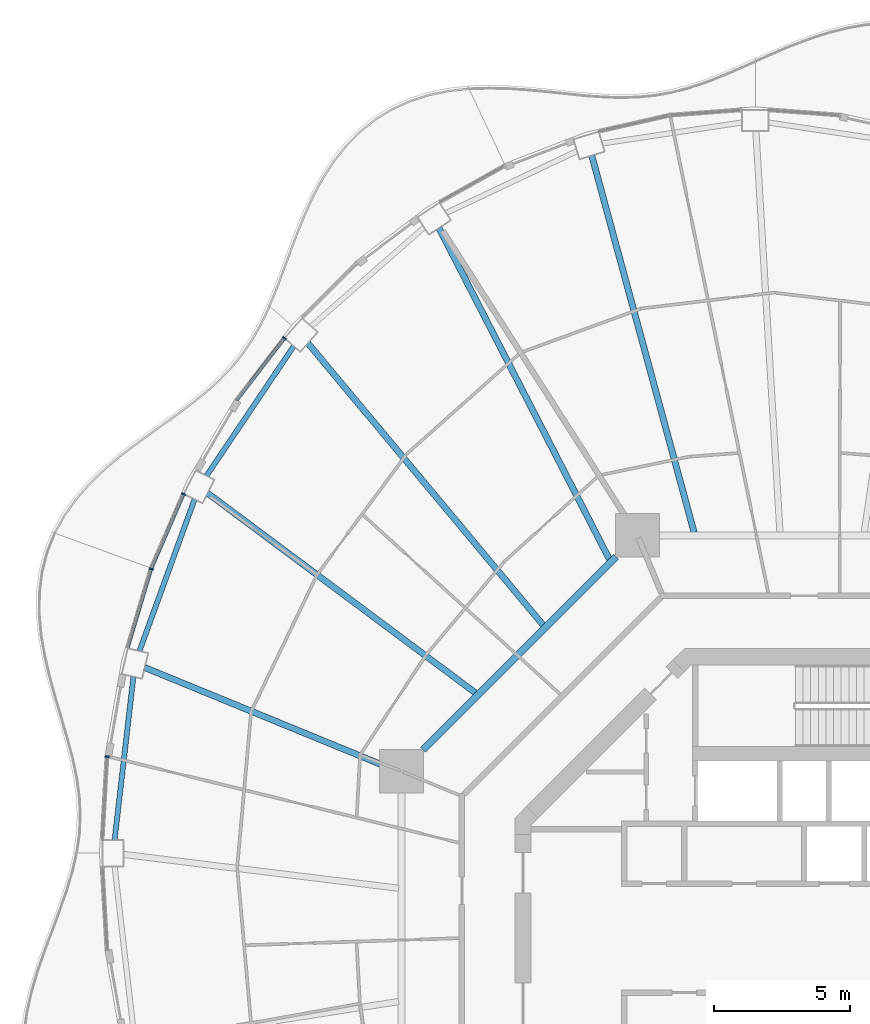
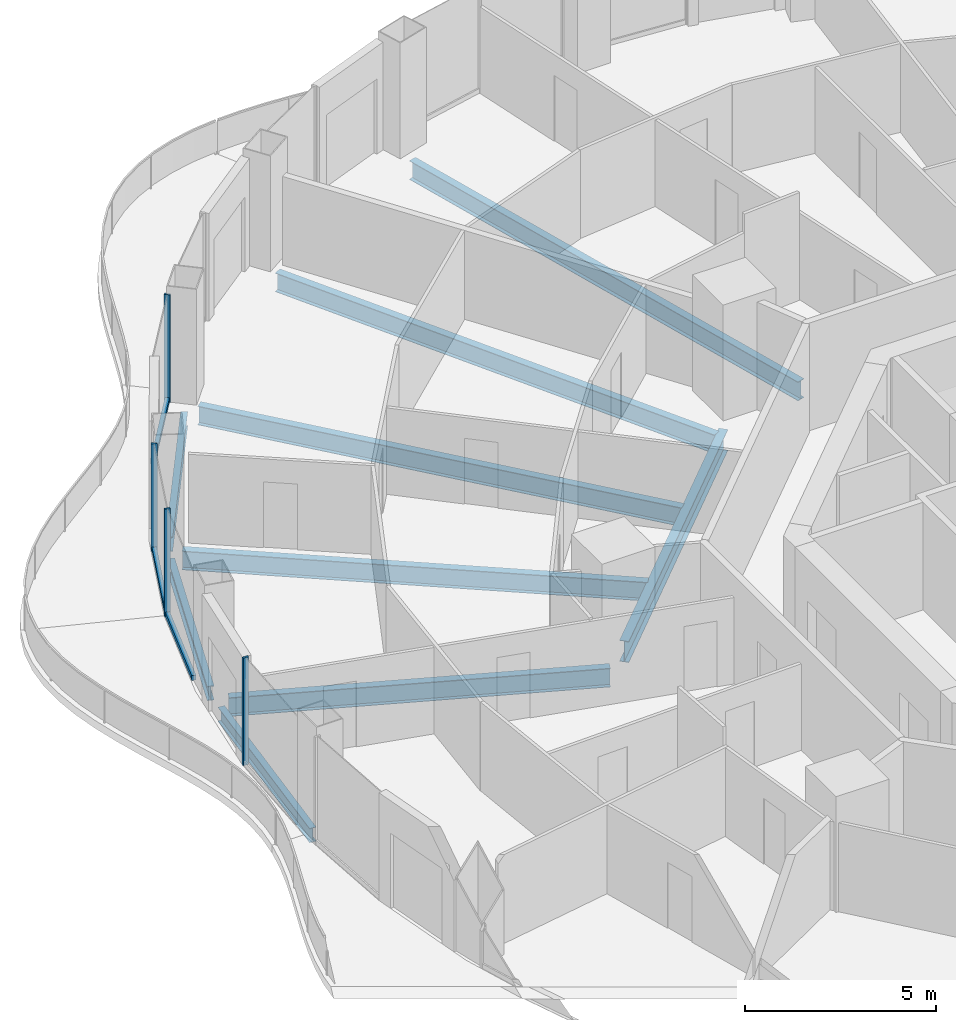
# One storey, part 5 of 18: 9 beams, 7 members, 4 elements without a shape of their own.
"""IFC4 building model written with IfcOpenShell, lengths in metres."""

from ifc_helpers import new_model, si_unit, direction, frame, origin, origin_2d, place, context, subcontext, project, spatial, rectangle, i_section, extrude, material, layer, layer_set, material_profile, profile_set, type_object, element, aggregate, save


model = new_model("IFC4")

# Units and contexts
model_context = context("Model", 3, precision=1e-05, world=origin(), true_north=direction((0.0, 1.0)))
body_context = subcontext(model_context, "Body", "Model", "MODEL_VIEW")
ifc_project = project(units=[si_unit("LENGTHUNIT", "METRE"), si_unit("AREAUNIT", "SQUARE_METRE"), si_unit("VOLUMEUNIT", "CUBIC_METRE"), si_unit("PLANEANGLEUNIT", "RADIAN"), si_unit("MASSUNIT", "GRAM", prefix="KILO")], contexts=[model_context])

# Site, building, storey
site_placement = place(None, origin())
site = spatial("IfcSite", under=ifc_project, at=site_placement, CompositionType="ELEMENT")
building_placement = place(site_placement, origin())
building = spatial("IfcBuilding", under=site, at=building_placement, Name="Nagisa Residences", CompositionType="ELEMENT")
storey_placement = place(building_placement, frame((0.0, 0.0, 241.800048828125)))
storey = spatial("IfcBuildingStorey", under=building, at=storey_placement, Name="L61", CompositionType="ELEMENT", Elevation=241.800048828125)

# Curtain wall, member
ifc_material_1 = material(Name="Concrete-coloured aluminium curtain wall system", Category="concrete")
ifc_layer = layer(ifc_material_1, 0.159912109375)
ifc_layer_set = layer_set([ifc_layer], Name="CW1 CURTAIN WALL")
curtain_wall_type = type_object("IfcCurtainWallType", Name="CW1 CURTAIN WALL", PredefinedType="NOTDEFINED", material=ifc_layer_set)
curtain_wall_1_placement = place(storey_placement, origin())
curtain_wall_1 = element("IfcCurtainWall", 1, at=curtain_wall_1_placement, inside=storey, type_object=curtain_wall_type, Name="cw:CW1:L61:18", PredefinedType="NOTDEFINED")
ifc_material_2 = material(Name="Concrete-coloured aluminium", Category="concrete")
ifc_material_profile_1 = material_profile(ifc_material_2, rectangle(XDim=0.159912109375, YDim=0.06005859375, at=origin_2d()), Name="CW1 MULLION 160x60")
ifc_profile_set_1 = profile_set([ifc_material_profile_1], Name="Concrete-coloured aluminium")
member_type_1 = type_object("IfcMemberType", Name="CW1 MULLION 160x60", PredefinedType="MULLION", material=ifc_profile_set_1)
member_1_placement = place(storey_placement, frame((-19.080322265625, 22.0166015625, 0.0), z_axis=(0.0, 0.0, 1.0), x_axis=(0.792070340816, -0.610429828235, 0.0)))
member_1 = element("IfcMember", 2, at=member_1_placement, type_object=member_type_1, Name="CW1 mullion", PredefinedType="MULLION", context=body_context, shape_type="SweptSolid", body=[
    extrude(rectangle(XDim=0.159912109375, YDim=0.06005859375, at=origin_2d()), origin(), (0.0, 0.0, 1.0), 3.43994140625),
])

curtain_wall_2_placement = place(storey_placement, origin())
curtain_wall_2 = element("IfcCurtainWall", 3, at=curtain_wall_2_placement, inside=storey, type_object=curtain_wall_type, Name="cw:CW1:L61:20", PredefinedType="NOTDEFINED")
member_2_placement = place(storey_placement, frame((-22.782470703125, 16.294677734375, 0.0), z_axis=(0.0, 0.0, 1.0), x_axis=(0.917543276295, -0.397635934147, 0.0)))
member_2 = element("IfcMember", 4, at=member_2_placement, type_object=member_type_1, Name="CW1 mullion", PredefinedType="MULLION", context=body_context, shape_type="SweptSolid", body=[
    extrude(rectangle(XDim=0.159912109375, YDim=0.06005859375, at=origin_2d()), origin(), (0.0, 0.0, 1.0), 3.43994140625),
])

curtain_wall_3_placement = place(storey_placement, origin())
curtain_wall_3 = element("IfcCurtainWall", 5, at=curtain_wall_3_placement, inside=storey, type_object=curtain_wall_type, Name="cw:CW1:L61:21", PredefinedType="NOTDEFINED")
member_3_placement = place(storey_placement, frame((-23.9697265625, 13.5478515625, 0.0), z_axis=(0.0, 0.0, 1.0), x_axis=(0.958271310082, -0.285860274038, 0.0)))
member_3 = element("IfcMember", 6, at=member_3_placement, type_object=member_type_1, Name="CW1 mullion", PredefinedType="MULLION", context=body_context, shape_type="SweptSolid", body=[
    extrude(rectangle(XDim=0.159912109375, YDim=0.06005859375, at=origin_2d()), origin(), (0.0, 0.0, 1.0), 3.43994140625),
])

curtain_wall_4_placement = place(storey_placement, origin())
curtain_wall_4 = element("IfcCurtainWall", 7, at=curtain_wall_4_placement, inside=storey, type_object=curtain_wall_type, Name="cw:CW1:L61:23", PredefinedType="NOTDEFINED")
member_4_placement = place(storey_placement, frame((-25.5859375, 6.658203125, 0.0), z_axis=(0.0, 0.0, 1.0), x_axis=(0.998345305184, -0.057503492216, 0.0)))
member_4 = element("IfcMember", 8, at=member_4_placement, type_object=member_type_1, Name="CW1 mullion", PredefinedType="MULLION", context=body_context, shape_type="SweptSolid", body=[
    extrude(rectangle(XDim=0.159912109375, YDim=0.06005859375, at=origin_2d()), origin(), (0.0, 0.0, 1.0), 3.43994140625),
])
aggregate(curtain_wall_4, [member_4])

# Member
ifc_material_3 = material(Name="Concrete-coloured aluminium", Category="concrete")
ifc_material_profile_2 = material_profile(ifc_material_3, rectangle(XDim=0.1201171875, YDim=0.14990234375, at=origin_2d()), Name="CW1 TRANSOM 120x150")
ifc_profile_set_2 = profile_set([ifc_material_profile_2], Name="Concrete-coloured aluminium")
member_type_2 = type_object("IfcMemberType", Name="CW1 TRANSOM 120x150", PredefinedType="USERDEFINED", material=ifc_profile_set_2)
member_5_placement = place(storey_placement, frame((-19.06201171875, 22.04052734375, 0.074951171875), z_axis=(-0.610438565676, -0.792063607001, 0.0), x_axis=(0.792063607001, -0.610438565676, 0.0)))
member_5 = element("IfcMember", 9, at=member_5_placement, type_object=member_type_2, Name="CW1 transom", ObjectType="TRANSOM", PredefinedType="USERDEFINED", context=body_context, shape_type="SweptSolid", body=[
    extrude(rectangle(XDim=0.1201171875, YDim=0.14990234375, at=origin_2d()), origin(), (0.0, 0.0, 1.0), 2.90087890625),
])

aggregate(curtain_wall_1, [member_1, member_5])

member_6_placement = place(storey_placement, frame((-22.770751953125, 16.322021484375, 0.074951171875), z_axis=(-0.397616567135, -0.917551669139, 0.0), x_axis=(0.917551669139, -0.397616567135, 0.0)))
member_6 = element("IfcMember", 10, at=member_6_placement, type_object=member_type_2, Name="CW1 transom", ObjectType="TRANSOM", PredefinedType="USERDEFINED", context=body_context, shape_type="SweptSolid", body=[
    extrude(rectangle(XDim=0.1201171875, YDim=0.14990234375, at=origin_2d()), origin(), (0.0, 0.0, 1.0), 3.001953125),
])

aggregate(curtain_wall_2, [member_2, member_6])

member_7_placement = place(storey_placement, frame((-23.961181640625, 13.576416015625, 0.074951171875), z_axis=(-0.285881452443, -0.958264992134, 0.0), x_axis=(0.958264992134, -0.285881452443, 0.0)))
member_7 = element("IfcMember", 11, at=member_7_placement, type_object=member_type_2, Name="CW1 transom", ObjectType="TRANSOM", PredefinedType="USERDEFINED", context=body_context, shape_type="SweptSolid", body=[
    extrude(rectangle(XDim=0.1201171875, YDim=0.14990234375, at=origin_2d()), origin(), (0.0, 0.0, 1.0), 3.040283203125),
])

aggregate(curtain_wall_3, [member_3, member_7])

# Beams
ifc_material_4 = material(Name="Steel ASTM A572 Gr 50", Category="steel")
ifc_material_profile_3 = material_profile(ifc_material_4, i_section(OverallWidth=0.2529296875, OverallDepth=0.677978515625, WebThickness=0.01171875, FlangeThickness=0.016357421875, at=origin_2d()), Name="W690x125")
ifc_profile_set_3 = profile_set([ifc_material_profile_3], Name="Steel ASTM A572 Gr 50")
beam_type_1 = type_object("IfcBeamType", Name="Inner ring beam W690x125", PredefinedType="BEAM", material=ifc_profile_set_3)
beam_1_placement = place(storey_placement, frame((-6.90869140625, 13.99609375, -0.59912109375), z_axis=(-0.707106781187, -0.707106781187, 0.0), x_axis=(0.707106781187, -0.707106781187, 0.0)))
element("IfcBeam", 12, at=beam_1_placement, inside=storey, type_object=beam_type_1, Name="beam:L61:ib3", PredefinedType="BEAM", context=body_context, shape_type="SweptSolid", body=[
    extrude(i_section(OverallWidth=0.2529296875, OverallDepth=0.677978515625, WebThickness=0.01171875, FlangeThickness=0.016357421875, at=origin_2d()), origin(), (0.0, 0.0, 1.0), 10.023193359375),
])
ifc_material_5 = material(Name="Steel ASTM A572 Gr 50", Category="steel")
ifc_material_profile_4 = material_profile(ifc_material_5, i_section(OverallWidth=0.18994140625, OverallDepth=0.45703125, WebThickness=0.009033203125, FlangeThickness=0.014404296875, at=origin_2d()), Name="W460x74")
ifc_profile_set_4 = profile_set([ifc_material_profile_4], Name="Steel ASTM A572 Gr 50")
beam_type_2 = type_object("IfcBeamType", Name="Perimeter ring beam W460x74", PredefinedType="BEAM", material=ifc_profile_set_4)
beam_2_placement = place(storey_placement, frame((-18.73681640625, 21.72998046875, -0.488525390625), z_axis=(-0.558079852096, -0.829787249049, 0.0), x_axis=(0.829787249049, -0.558079852096, 0.0)))
element("IfcBeam", 13, at=beam_2_placement, inside=storey, type_object=beam_type_2, Name="beam:L61:pb10", PredefinedType="BEAM", context=body_context, shape_type="SweptSolid", body=[
    extrude(i_section(OverallWidth=0.18994140625, OverallDepth=0.45703125, WebThickness=0.009033203125, FlangeThickness=0.014404296875, at=origin_2d()), origin(), (0.0, 0.0, 1.0), 5.743408203125),
])
beam_3_placement = place(storey_placement, frame((-22.377197265625, 16.108154296875, -0.488525390625), z_axis=(-0.34127712749, -0.939962723863, 0.0), x_axis=(0.939962723863, -0.34127712749, 0.0)))
element("IfcBeam", 14, at=beam_3_placement, inside=storey, type_object=beam_type_2, Name="beam:L61:pb11", PredefinedType="BEAM", context=body_context, shape_type="SweptSolid", body=[
    extrude(i_section(OverallWidth=0.18994140625, OverallDepth=0.45703125, WebThickness=0.009033203125, FlangeThickness=0.014404296875, at=origin_2d()), origin(), (0.0, 0.0, 1.0), 5.9326171875),
])
beam_4_placement = place(storey_placement, frame((-24.622314453125, 9.59716796875, -0.488525390625), z_axis=(-0.114650193512, -0.993405925656, 0.0), x_axis=(0.993405925656, -0.114650193512, 0.0)))
element("IfcBeam", 15, at=beam_4_placement, inside=storey, type_object=beam_type_2, Name="beam:L61:pb12", PredefinedType="BEAM", context=body_context, shape_type="SweptSolid", body=[
    extrude(i_section(OverallWidth=0.18994140625, OverallDepth=0.45703125, WebThickness=0.009033203125, FlangeThickness=0.014404296875, at=origin_2d()), origin(), (0.0, 0.0, 1.0), 6.0390625),
])
ifc_material_6 = material(Name="Steel ASTM A572 Gr 50", Category="steel")
ifc_material_profile_5 = material_profile(ifc_material_6, i_section(OverallWidth=0.22802734375, OverallDepth=0.60302734375, WebThickness=0.010498046875, FlangeThickness=0.014892578125, at=origin_2d()), Name="W610x101")
ifc_profile_set_5 = profile_set([ifc_material_profile_5], Name="Steel ASTM A572 Gr 50")
beam_type_3 = type_object("IfcBeamType", Name="Radial beam W610x101", PredefinedType="BEAM", material=ifc_profile_set_5)
beam_5_placement = place(storey_placement, frame((-7.80078125, 28.724609375, -0.5615234375), z_axis=(0.26207978084, -0.965046210539, 0.0), x_axis=(0.965046210539, 0.26207978084, 0.0)))
element("IfcBeam", 16, at=beam_5_placement, inside=storey, type_object=beam_type_3, Name="beam:L61:rb08", PredefinedType="BEAM", context=body_context, shape_type="SweptSolid", body=[
    extrude(i_section(OverallWidth=0.22802734375, OverallDepth=0.60302734375, WebThickness=0.010498046875, FlangeThickness=0.014892578125, at=origin_2d()), origin(), (0.0, 0.0, 1.0), 14.336669921875),
])
beam_6_placement = place(storey_placement, frame((-13.41015625, 26.065185546875, -0.5615234375), z_axis=(0.457487565814, -0.889216018257, 0.0), x_axis=(0.889216018257, 0.457487565814, 0.0)))
element("IfcBeam", 17, at=beam_6_placement, inside=storey, type_object=beam_type_3, Name="beam:L61:rb09", PredefinedType="BEAM", context=body_context, shape_type="SweptSolid", body=[
    extrude(i_section(OverallWidth=0.22802734375, OverallDepth=0.60302734375, WebThickness=0.010498046875, FlangeThickness=0.014892578125, at=origin_2d()), origin(), (0.0, 0.0, 1.0), 13.676513671875),
])
beam_7_placement = place(storey_placement, frame((-18.219970703125, 21.83642578125, -0.5615234375), z_axis=(0.64065600401, -0.767828030568, 0.0), x_axis=(0.767828030568, 0.64065600401, 0.0)))
element("IfcBeam", 18, at=beam_7_placement, inside=storey, type_object=beam_type_3, Name="beam:L61:rb10", PredefinedType="BEAM", context=body_context, shape_type="SweptSolid", body=[
    extrude(i_section(OverallWidth=0.22802734375, OverallDepth=0.60302734375, WebThickness=0.010498046875, FlangeThickness=0.014892578125, at=origin_2d()), origin(), (0.0, 0.0, 1.0), 13.490234375),
])
beam_8_placement = place(storey_placement, frame((-21.90283203125, 16.33203125, -0.5615234375), z_axis=(0.801674643351, -0.597760626177, 0.0), x_axis=(0.597760626177, 0.801674643351, 0.0)))
element("IfcBeam", 19, at=beam_8_placement, inside=storey, type_object=beam_type_3, Name="beam:L61:rb11", PredefinedType="BEAM", context=body_context, shape_type="SweptSolid", body=[
    extrude(i_section(OverallWidth=0.22802734375, OverallDepth=0.60302734375, WebThickness=0.010498046875, FlangeThickness=0.014892578125, at=origin_2d()), origin(), (0.0, 0.0, 1.0), 12.275634765625),
])
beam_9_placement = place(storey_placement, frame((-24.210693359375, 9.93115234375, -0.5615234375), z_axis=(0.925188691773, -0.379507423663, 0.0), x_axis=(0.379507423663, 0.925188691773, 0.0)))
element("IfcBeam", 20, at=beam_9_placement, inside=storey, type_object=beam_type_3, Name="beam:L61:rb12", PredefinedType="BEAM", context=body_context, shape_type="SweptSolid", body=[
    extrude(i_section(OverallWidth=0.22802734375, OverallDepth=0.60302734375, WebThickness=0.010498046875, FlangeThickness=0.014892578125, at=origin_2d()), origin(), (0.0, 0.0, 1.0), 10.07421875),
])

save(model, "model.ifc")
